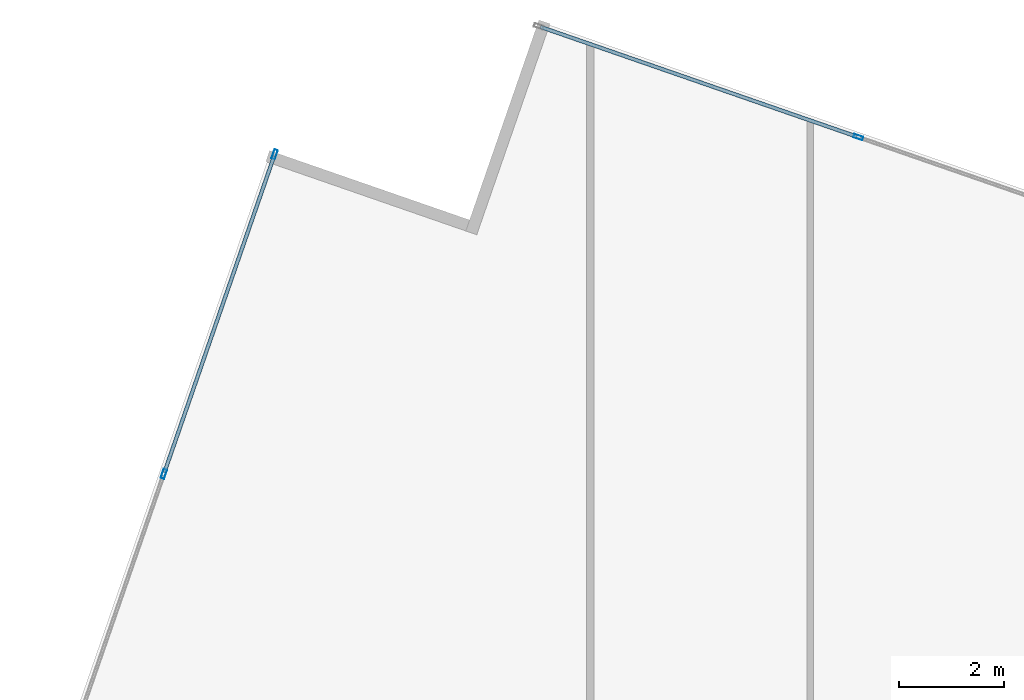
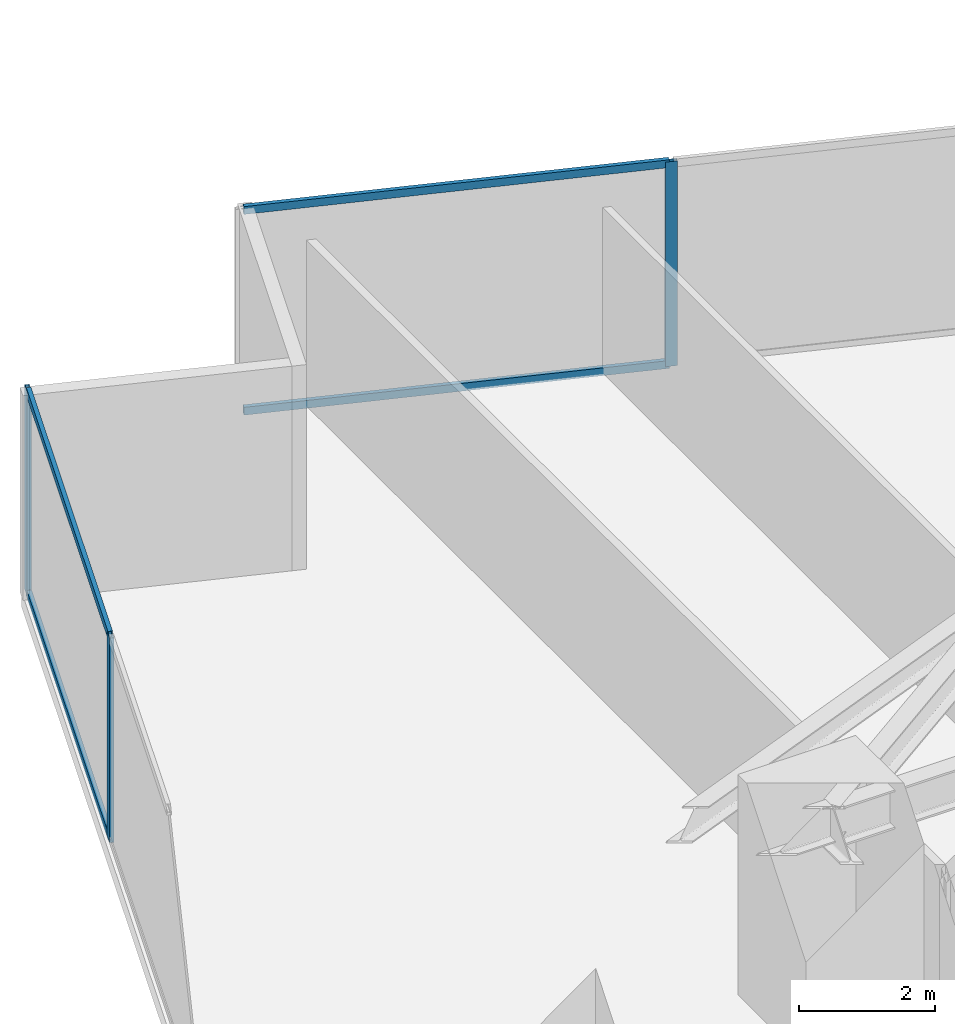
# One storey, part 17 of 27: 7 members, 2 elements without a shape of their own.
"""IFC4 building model written with IfcOpenShell, lengths in metres."""

import ifcopenshell
import ifcopenshell.guid

model = None  # the IFC model being written
_history = None  # IfcOwnerHistory: only IFC2X3 demands one
_inside = {}  # id of a spatial element -> (the spatial element, [elements in it])
_under = {}  # id of a project, library or spatial element -> (it, [spatial elements below it])
_declared = {}  # id of a project -> (the project, [libraries it declares])
_typed = {}  # id of a type object -> (the type object, [elements of that type])
_made_of = {}  # id of a material, layer set ... -> (it, [elements and type objects made of it])


def new_model(schema):
    """Start an empty IFC model of exactly this schema.

    Asked for "IFC4X3", IfcOpenShell would pick the latest addendum, in which some entities
    have other attributes; the version numbers below select the first issue.
    IFC2X3 requires an IfcOwnerHistory on every rooted entity: one is made here for all.
    """
    global model, _history
    if schema == "IFC4X3":
        model = ifcopenshell.file(schema_version=(4, 3, 0, 0))
    else:
        model = ifcopenshell.file(schema=schema)
    _inside.clear()
    _under.clear()
    _declared.clear()
    _typed.clear()
    _made_of.clear()
    _history = None
    if model.schema == "IFC2X3":
        org = make("IfcOrganization", Name="unknown")
        user = make(
            "IfcPersonAndOrganization",
            ThePerson=make("IfcPerson", FamilyName="unknown"),
            TheOrganization=org,
        )
        app = make(
            "IfcApplication",
            ApplicationDeveloper=org,
            Version="unknown",
            ApplicationFullName="unknown",
            ApplicationIdentifier="unknown",
        )
        _history = make(
            "IfcOwnerHistory",
            OwningUser=user,
            OwningApplication=app,
            ChangeAction="ADDED",
            CreationDate=0,
        )
    return model


def make(cls, **values):
    """One entity of the class cls with the attributes given. An attribute that is None is left unset."""
    return model.create_entity(
        cls, **{name: value for name, value in values.items() if value is not None}
    )


def rooted(cls, **values):
    """An entity with a GlobalId (a new one), such as an element, a storey or a relation."""
    return make(cls, GlobalId=ifcopenshell.guid.new(), OwnerHistory=_history, **values)


def si_unit(unit_type, name, prefix=None):
    """IfcSIUnit, for example si_unit("LENGTHUNIT", "METRE", prefix="MILLI")."""
    return make("IfcSIUnit", UnitType=unit_type, Prefix=prefix, Name=name)


def assignment(units):
    """IfcUnitAssignment: the units of a project."""
    return None if units is None else make("IfcUnitAssignment", Units=units)


def point(xyz):
    """IfcCartesianPoint."""
    return None if xyz is None else make("IfcCartesianPoint", Coordinates=xyz)


def direction(xyz):
    """IfcDirection."""
    return None if xyz is None else make("IfcDirection", DirectionRatios=xyz)


def frame(location, z_axis=None, x_axis=None):
    """IfcAxis2Placement3D, a coordinate frame: its origin and axes. An axis left out is left unset."""
    return make(
        "IfcAxis2Placement3D",
        Location=point(location),
        Axis=direction(z_axis),
        RefDirection=direction(x_axis),
    )


def frame_2d(location, x_axis=None):
    """IfcAxis2Placement2D, a coordinate frame in the plane: its origin and x axis."""
    return make(
        "IfcAxis2Placement2D", Location=point(location), RefDirection=direction(x_axis)
    )


def origin():
    """The frame at (0, 0, 0) with its axes left unset."""
    return frame((0.0, 0.0, 0.0))


def origin_2d():
    """The frame at (0, 0) in the plane with its x axis left unset."""
    return frame_2d((0.0, 0.0))


def place(relative_to, where):
    """IfcLocalPlacement: puts the frame where relative to a parent placement (None: the world)."""
    return make(
        "IfcLocalPlacement", PlacementRelTo=relative_to, RelativePlacement=where
    )


def context(
    kind, dimensions, precision=None, world=None, true_north=None, identifier=None
):
    """IfcGeometricRepresentationContext, for example the 3D "Model" context."""
    return make(
        "IfcGeometricRepresentationContext",
        ContextIdentifier=identifier,
        ContextType=kind,
        CoordinateSpaceDimension=dimensions,
        Precision=precision,
        WorldCoordinateSystem=world,
        TrueNorth=true_north,
    )


def subcontext(parent, identifier, kind, view, scale=None):
    """IfcGeometricRepresentationSubContext, for example "Body" below "Model"."""
    return make(
        "IfcGeometricRepresentationSubContext",
        ContextIdentifier=identifier,
        ContextType=kind,
        ParentContext=parent,
        TargetScale=scale,
        TargetView=view,
    )


def project(units=None, contexts=None):
    """IfcProject with its units and contexts."""
    return rooted(
        "IfcProject",
        Name="project",
        RepresentationContexts=contexts,
        UnitsInContext=assignment(units),
    )


def spatial(cls, under=None, at=None, **own):
    """A site, building, storey or space (cls), placed at a placement, below another one or the project."""
    s = rooted(cls, ObjectPlacement=at, **own)
    if under is not None:
        _under.setdefault(under.id(), (under, []))[1].append(s)
    return s


def profile(cls, at=None, kind="AREA", **sizes):
    """A parametric profile (cls). Its sizes go by their IFC names, for example OverallWidth=200.0."""
    return make(cls, ProfileType=kind, Position=at, **sizes)


def hollow_rectangle(**sizes):
    """IfcRectangleHollowProfileDef."""
    return profile("IfcRectangleHollowProfileDef", **sizes)


def extrude(swept, where, along, depth):
    """IfcExtrudedAreaSolid: the profile swept, set in the frame where, extruded along a direction by depth."""
    return make(
        "IfcExtrudedAreaSolid",
        SweptArea=swept,
        Position=where,
        ExtrudedDirection=direction(along),
        Depth=depth,
    )


def shape(context_of_items, identifier, shape_type, items):
    """IfcShapeRepresentation: the items that make up one representation, for example the "Body"."""
    return make(
        "IfcShapeRepresentation",
        ContextOfItems=context_of_items,
        RepresentationIdentifier=identifier,
        RepresentationType=shape_type,
        Items=items,
    )


def source(mapping_origin, context_of_items, identifier, shape_type, items):
    """IfcRepresentationMap: a shape defined once, which mapped items show again and again."""
    return make(
        "IfcRepresentationMap",
        MappingOrigin=mapping_origin,
        MappedRepresentation=shape(context_of_items, identifier, shape_type, items),
    )


def transform(
    local_origin,
    x_axis=None,
    y_axis=None,
    z_axis=None,
    scale=None,
    scale2=None,
    scale3=None,
    uniform=True,
):
    """IfcCartesianTransformationOperator3D, or its non-uniform kind. x_axis, y_axis, z_axis: its Axis1, 2, 3."""
    if uniform:
        return make(
            "IfcCartesianTransformationOperator3D",
            Axis1=direction(x_axis),
            Axis2=direction(y_axis),
            LocalOrigin=point(local_origin),
            Scale=scale,
            Axis3=direction(z_axis),
        )
    return make(
        "IfcCartesianTransformationOperator3DnonUniform",
        Axis1=direction(x_axis),
        Axis2=direction(y_axis),
        LocalOrigin=point(local_origin),
        Scale=scale,
        Axis3=direction(z_axis),
        Scale2=scale2,
        Scale3=scale3,
    )


def mapped(mapping_source, mapping_target):
    """IfcMappedItem: shows the shape of a source again, moved by a transform."""
    return make(
        "IfcMappedItem", MappingSource=mapping_source, MappingTarget=mapping_target
    )


def material(Name=None, Category=None):
    """IfcMaterial."""
    return make("IfcMaterial", Name=Name, Category=Category)


def material_profile(
    of_material, cross_section, Name=None, Category=None, Priority=None
):
    """IfcMaterialProfile: a cross section and its material."""
    return make(
        "IfcMaterialProfile",
        Name=Name,
        Material=of_material,
        Profile=cross_section,
        Priority=Priority,
        Category=Category,
    )


def profile_set(profiles, Name=None, composite=None):
    """IfcMaterialProfileSet."""
    return make(
        "IfcMaterialProfileSet",
        Name=Name,
        MaterialProfiles=profiles,
        CompositeProfile=composite,
    )


def made_of(thing, what):
    """Note that an element or type object is made of a material, layer set ...; save() writes the relation."""
    if what is not None:
        _made_of.setdefault(what.id(), (what, []))[1].append(thing)
    return thing


def type_object(cls, material=None, **own):
    """A type object (cls), such as IfcWallType, which elements share."""
    return made_of(rooted(cls, **own), material)


def type_shapes(of_type, sources):
    """Give a type object the sources (RepresentationMaps) that its elements show as mapped items."""
    of_type.RepresentationMaps = sources


def element(
    cls,
    number,
    at=None,
    inside=None,
    cuts=None,
    type_object=None,
    material=None,
    context=None,
    identifier="Body",
    shape_type=None,
    held_by="IfcProductDefinitionShape",
    body=None,
    shapes=None,
    **own,
):
    """One element of the class cls, such as IfcWall. Its Tag is "e" and its number.

    at: its placement. inside: the storey or other place that contains it. cuts: it is an
    opening in that element (IfcRelVoidsElement). A single representation is given by context,
    identifier, shape_type and body (its items); several are given by shapes. held_by: the class
    of the entity that holds the representations. save() writes the other relations.
    """
    e = rooted(cls, Tag="e%d" % number, ObjectPlacement=at, **own)
    if body is not None:
        shapes = [shape(context, identifier, shape_type, body)]
    if shapes is not None:
        e.Representation = make(held_by, Representations=shapes)
    if inside is not None:
        _inside.setdefault(inside.id(), (inside, []))[1].append(e)
    if cuts is not None:
        rooted(
            "IfcRelVoidsElement", RelatingBuildingElement=cuts, RelatedOpeningElement=e
        )
    if type_object is not None:
        _typed.setdefault(type_object.id(), (type_object, []))[1].append(e)
    return made_of(e, material)


def aggregate(whole, parts):
    """IfcRelAggregates: a whole, such as a stair, and the parts it consists of."""
    return rooted("IfcRelAggregates", RelatingObject=whole, RelatedObjects=parts)


def save(model, path):
    """Write the relations noted so far, then the file.

    IfcRelAggregates (storeys below a building ...), IfcRelContainedInSpatialStructure (elements
    in a storey), IfcRelDefinesByType, IfcRelAssociatesMaterial and IfcRelDeclares: one each for
    every whole, place, type object, material and project.
    """
    for whole, parts in _under.values():
        aggregate(whole, parts)
    for where, things in _inside.values():
        rooted(
            "IfcRelContainedInSpatialStructure",
            RelatedElements=things,
            RelatingStructure=where,
        )
    for kind, things in _typed.values():
        rooted("IfcRelDefinesByType", RelatedObjects=things, RelatingType=kind)
    for what, things in _made_of.values():
        rooted("IfcRelAssociatesMaterial", RelatedObjects=things, RelatingMaterial=what)
    for by, libraries in _declared.values():
        rooted("IfcRelDeclares", RelatingContext=by, RelatedDefinitions=libraries)
    model.write(path)


model = new_model("IFC4")

# Units and contexts
model_context = context("Model", 3, precision=1e-05, world=origin(), true_north=direction((0.0, 1.0)))
body_context = subcontext(model_context, "Body", "Model", "MODEL_VIEW")
ifc_project = project(units=[si_unit("LENGTHUNIT", "METRE"), si_unit("AREAUNIT", "SQUARE_METRE"), si_unit("VOLUMEUNIT", "CUBIC_METRE"), si_unit("PLANEANGLEUNIT", "RADIAN"), si_unit("MASSUNIT", "GRAM", prefix="KILO")], contexts=[model_context])

# Site, building, storey
site_placement = place(None, origin())
site = spatial("IfcSite", under=ifc_project, at=site_placement, CompositionType="ELEMENT")
building_placement = place(site_placement, origin())
building = spatial("IfcBuilding", under=site, at=building_placement, Name="Krantzveldt Concourse Tower", CompositionType="ELEMENT")
storey_placement = place(building_placement, frame((0.0, 0.0, 125.60009765625)))
storey = spatial("IfcBuildingStorey", under=building, at=storey_placement, Name="L30", CompositionType="ELEMENT", Elevation=125.60009765625)

# Curtain wall, members
ifc_material = material(Name="Anodised aluminium 6063-T6", Category="aluminium")
curtain_wall_type = type_object("IfcCurtainWallType", Name="CW2", PredefinedType="USERDEFINED", material=ifc_material)
curtain_wall_1_placement = place(storey_placement, origin())
curtain_wall_1 = element("IfcCurtainWall", 1, at=curtain_wall_1_placement, inside=storey, type_object=curtain_wall_type, Name="CW-L30-F01", ObjectType="UNITISED CURTAIN WALL", PredefinedType="USERDEFINED")
ifc_material_profile_1 = material_profile(ifc_material, hollow_rectangle(XDim=0.070068359375, YDim=0.179931640625, WallThickness=0.0048828125, at=origin_2d()), Name="Anodised aluminium 6063-T6", Category="aluminium")
ifc_profile_set_1 = profile_set([ifc_material_profile_1], Name="Anodised aluminium 6063-T6 - ALU-MULL 180x70x5")
member_type_1 = type_object("IfcMemberType", Name="CW-MUL-180", PredefinedType="MULLION", material=ifc_profile_set_1)
shared_shape_1 = source(origin(), body_context, "Body", "SweptSolid", [
    extrude(hollow_rectangle(XDim=0.070068359375, YDim=0.179931640625, WallThickness=0.0048828125, at=origin_2d()), origin(), (0.0, 0.0, 1.0), 3.669921875),
])
type_shapes(member_type_1, [shared_shape_1])
member_1_placement = place(storey_placement, frame((20.321044921875, 52.63330078125, 0.0), z_axis=(0.0, 0.0, 1.0), x_axis=(0.944806041446, -0.32763019404, 0.0)))
member_1 = element("IfcMember", 2, at=member_1_placement, type_object=member_type_1, Name="CW-Z12 mullion 1", PredefinedType="MULLION", context=body_context, shape_type="MappedRepresentation", body=[
    mapped(shared_shape_1, transform((0.0, 0.0, 0.0), x_axis=(1.0, 0.0, 0.0), y_axis=(0.0, 1.0, 0.0), z_axis=(0.0, 0.0, 1.0), scale=1.0)),
])
member_2_placement = place(storey_placement, frame((18.2138671875, 46.556640625, 0.0), z_axis=(0.0, 0.0, 1.0), x_axis=(0.944806041446, -0.32763019404, 0.0)))
member_2 = element("IfcMember", 3, at=member_2_placement, type_object=member_type_1, Name="CW-Z12 mullion 2", PredefinedType="MULLION", context=body_context, shape_type="MappedRepresentation", body=[
    mapped(shared_shape_1, transform((0.0, 0.0, 0.0), x_axis=(1.0, 0.0, 0.0), y_axis=(0.0, 1.0, 0.0), z_axis=(0.0, 0.0, 1.0), scale=1.0)),
])

# Curtain wall, member
curtain_wall_2_placement = place(storey_placement, origin())
curtain_wall_2 = element("IfcCurtainWall", 4, at=curtain_wall_2_placement, inside=storey, type_object=curtain_wall_type, Name="CW-L30-F10", ObjectType="UNITISED CURTAIN WALL", PredefinedType="USERDEFINED")
member_3_placement = place(storey_placement, frame((31.41748046875, 52.960693359375, 0.0), z_axis=(0.0, 0.0, 1.0), x_axis=(-0.32763019404, -0.944806041446, 0.0)))
member_3 = element("IfcMember", 5, at=member_3_placement, type_object=member_type_1, Name="CW-Z12 mullion 6", PredefinedType="MULLION", context=body_context, shape_type="MappedRepresentation", body=[
    mapped(shared_shape_1, transform((0.0, 0.0, 0.0), x_axis=(1.0, 0.0, 0.0), y_axis=(0.0, 1.0, 0.0), z_axis=(0.0, 0.0, 1.0), scale=1.0)),
])

# Member
ifc_material_profile_2 = material_profile(ifc_material, hollow_rectangle(XDim=0.070068359375, YDim=0.139892578125, WallThickness=0.0048828125, at=origin_2d()), Name="Anodised aluminium 6063-T6", Category="aluminium")
ifc_profile_set_2 = profile_set([ifc_material_profile_2], Name="Anodised aluminium 6063-T6 - ALU-TRAN 140x70x5")
member_type_2 = type_object("IfcMemberType", Name="CW-TRN-150", PredefinedType="USERDEFINED", material=ifc_profile_set_2)
shared_shape_2 = source(origin(), body_context, "Body", "SweptSolid", [
    extrude(hollow_rectangle(XDim=0.070068359375, YDim=0.139892578125, WallThickness=0.0048828125, at=origin_2d()), origin(), (0.0, 0.0, 1.0), 6.361572265625),
])
type_shapes(member_type_2, [shared_shape_2])
member_4_placement = place(storey_placement, frame((20.3095703125, 52.60009765625, 0.034912109375), z_axis=(-0.327625894764, -0.944807532294, 0.0), x_axis=(0.944807532294, -0.327625894764, 0.0)))
member_4 = element("IfcMember", 6, at=member_4_placement, type_object=member_type_2, Name="CW-Z12 transom 1.1", ObjectType="TRANSOM", PredefinedType="USERDEFINED", context=body_context, shape_type="MappedRepresentation", body=[
    mapped(shared_shape_2, transform((0.0, 0.0, 0.0), x_axis=(1.0, 0.0, 0.0), y_axis=(0.0, 1.0, 0.0), z_axis=(0.0, 0.0, 1.0), scale=1.0)),
])

member_5_placement = place(storey_placement, frame((20.3095703125, 52.60009765625, 3.635009765625), z_axis=(-0.327625894764, -0.944807532294, 0.0), x_axis=(0.944807532294, -0.327625894764, 0.0)))
member_5 = element("IfcMember", 7, at=member_5_placement, type_object=member_type_2, Name="CW-Z12 transom 1.2", ObjectType="TRANSOM", PredefinedType="USERDEFINED", context=body_context, shape_type="MappedRepresentation", body=[
    mapped(shared_shape_2, transform((0.0, 0.0, 0.0), x_axis=(1.0, 0.0, 0.0), y_axis=(0.0, 1.0, 0.0), z_axis=(0.0, 0.0, 1.0), scale=1.0)),
])

aggregate(curtain_wall_1, [member_1, member_2, member_4, member_5])

member_6_placement = place(storey_placement, frame((31.384521484375, 52.97216796875, 0.034912109375), z_axis=(-0.944795652423, 0.327660151931, 0.0), x_axis=(-0.327660151931, -0.944795652423, 0.0)))
member_6 = element("IfcMember", 8, at=member_6_placement, type_object=member_type_2, Name="CW-Z12 transom 6.1", ObjectType="TRANSOM", PredefinedType="USERDEFINED", context=body_context, shape_type="MappedRepresentation", body=[
    mapped(shared_shape_2, transform((0.0, 0.0, 0.0), x_axis=(1.0, 0.0, 0.0), y_axis=(0.0, 1.0, 0.0), z_axis=(0.0, 0.0, 1.0), scale=1.0)),
])

member_7_placement = place(storey_placement, frame((31.384521484375, 52.97216796875, 3.635009765625), z_axis=(-0.944795652423, 0.327660151931, 0.0), x_axis=(-0.327660151931, -0.944795652423, 0.0)))
member_7 = element("IfcMember", 9, at=member_7_placement, type_object=member_type_2, Name="CW-Z12 transom 6.2", ObjectType="TRANSOM", PredefinedType="USERDEFINED", context=body_context, shape_type="MappedRepresentation", body=[
    mapped(shared_shape_2, transform((0.0, 0.0, 0.0), x_axis=(1.0, 0.0, 0.0), y_axis=(0.0, 1.0, 0.0), z_axis=(0.0, 0.0, 1.0), scale=1.0)),
])

aggregate(curtain_wall_2, [member_3, member_6, member_7])

save(model, "model.ifc")
